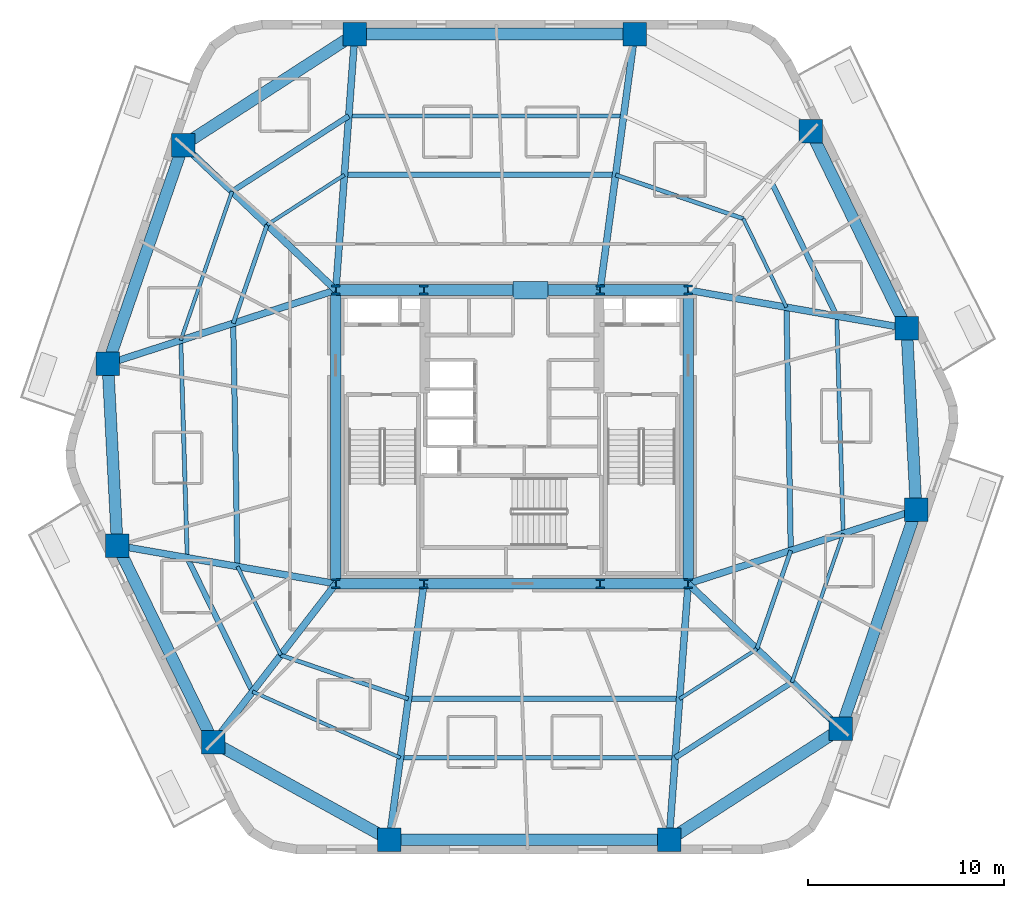
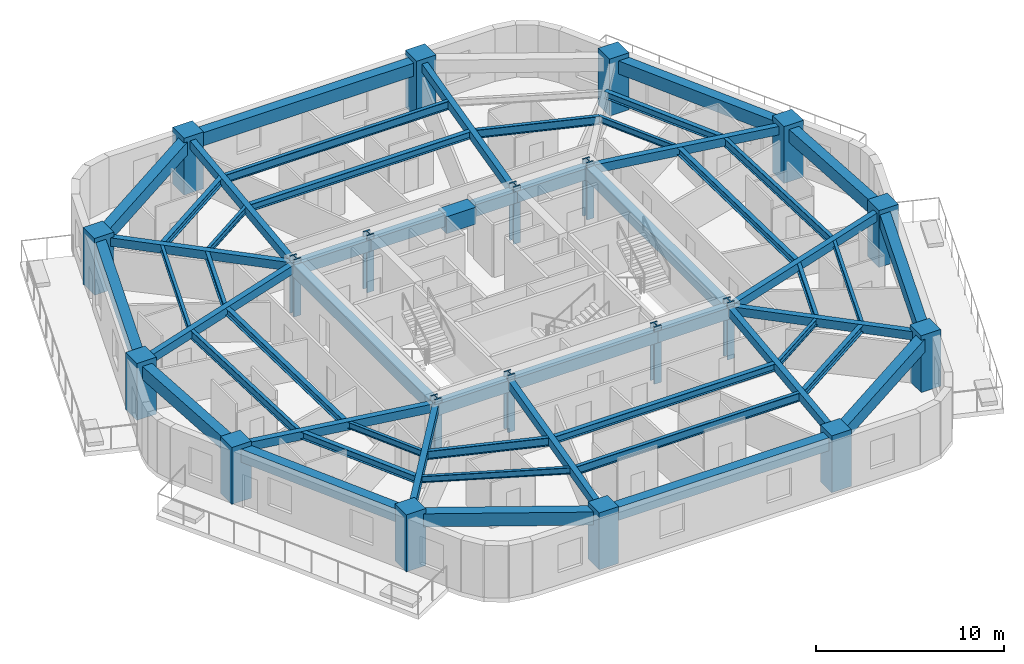
# One storey, part 1 of 10: 54 beams, 20 columns.
"""IFC4 building model written with IfcOpenShell, lengths in metres."""

from ifc_helpers import new_model, si_unit, direction, frame, origin, origin_2d, place, context, subcontext, project, spatial, rectangle, i_section, extrude, material, material_profile, profile_set, type_object, element, save


model = new_model("IFC4")

# Units and contexts
model_context = context("Model", 3, precision=1e-05, world=origin(), true_north=direction((0.0, 1.0)))
body_context = subcontext(model_context, "Body", "Model", "MODEL_VIEW")
ifc_project = project(units=[si_unit("LENGTHUNIT", "METRE"), si_unit("AREAUNIT", "SQUARE_METRE"), si_unit("VOLUMEUNIT", "CUBIC_METRE"), si_unit("PLANEANGLEUNIT", "RADIAN"), si_unit("MASSUNIT", "GRAM", prefix="KILO")], contexts=[model_context])

# Site, building, storey
site_placement = place(None, origin())
site = spatial("IfcSite", under=ifc_project, at=site_placement, CompositionType="ELEMENT")
building_placement = place(site_placement, origin())
building = spatial("IfcBuilding", under=site, at=building_placement, Name="Kilnhurst Terrace Hotel", CompositionType="ELEMENT")
storey_placement = place(building_placement, frame((0.0, 0.0, 113.60009765625)))
storey = spatial("IfcBuildingStorey", under=building, at=storey_placement, Name="L27", CompositionType="ELEMENT", Elevation=113.60009765625)

# Columns
ifc_material_1 = material(Name="Concrete C80/95", Category="concrete")
ifc_material_profile_1 = material_profile(ifc_material_1, rectangle(XDim=1.199951171875, YDim=1.199951171875, at=origin_2d()), Name="RC1200X1200")
ifc_profile_set_1 = profile_set([ifc_material_profile_1], Name="Concrete C80/95")
column_type_1 = type_object("IfcColumnType", Name="COL-RC-1200", PredefinedType="COLUMN", material=ifc_profile_set_1)
for number, where, z_axis, x_axis, name in (
    (1, (-6.26806640625, -20.580078125, 0.0), (0.0, 0.0, 1.0), (1.0, 0.0, 0.0), "L27 Structural Column PC-F11"),
    (2, (8.028076171875, -20.580078125, 0.0), (0.0, 0.0, 1.0), (1.0, 0.0, 0.0), "L27 Structural Column PC-F12"),
    (3, (16.800048828125, -14.910888671875, 0.0), (0.0, 0.0, 1.0), (1.0, 0.0, 0.0), "L27 Structural Column PC-F21"),
    (4, (20.64990234375, -3.73095703125, 0.0), (0.0, 0.0, 1.0), (1.0, 0.0, 0.0), "L27 Structural Column PC-F22"),
    (5, (20.1640625, 5.549072265625, 0.0), (0.0, 0.0, 1.0), (1.0, 0.0, 0.0), "L27 Structural Column PC-F31"),
    (6, (15.257080078125, 15.60888671875, 0.0), (0.0, 0.0, 1.0), (1.0, 0.0, 0.0), "L27 Structural Column PC-F32"),
    (7, (6.26806640625, 20.580078125, 0.0), (0.0, 0.0, 1.0), (1.0, 0.0, 0.0), "L27 Structural Column PC-F41"),
    (8, (-8.028076171875, 20.580078125, 0.0), (0.0, 0.0, 1.0), (1.0, 0.0, 0.0), "L27 Structural Column PC-F42"),
    (9, (-16.800048828125, 14.910888671875, 0.0), (0.0, 0.0, 1.0), (1.0, 0.0, 0.0), "L27 Structural Column PC-F51"),
    (10, (-20.64990234375, 3.73095703125, 0.0), (0.0, 0.0, 1.0), (1.0, 0.0, 0.0), "L27 Structural Column PC-F52"),
    (11, (-20.1640625, -5.549072265625, 0.0), (0.0, 0.0, 1.0), (1.0, 0.0, 0.0), "L27 Structural Column PC-F61"),
    (12, (-15.257080078125, -15.60888671875, 0.0), (0.0, 0.0, 1.0), (1.0, 0.0, 0.0), "L27 Structural Column PC-F62"),
):
    element("IfcColumn", number, at=place(storey_placement, frame(where, z_axis=z_axis, x_axis=x_axis)), inside=storey, type_object=column_type_1, Name=name, PredefinedType="COLUMN", context=body_context, shape_type="SweptSolid", body=[
        extrude(rectangle(XDim=1.199951171875, YDim=1.199951171875, at=origin_2d()), origin(), (0.0, 0.0, 1.0), 3.699951171875),
    ])
ifc_material_2 = material(Name="Steel ASTM A992 Grade 50", Category="steel")
ifc_material_profile_2 = material_profile(ifc_material_2, i_section(OverallWidth=0.43212890625, OverallDepth=0.497802734375, WebThickness=0.0556640625, FlangeThickness=0.0888671875, at=origin_2d()), Name="W14X500")
ifc_profile_set_2 = profile_set([ifc_material_profile_2], Name="Steel ASTM A992 Grade 50")
column_type_2 = type_object("IfcColumnType", Name="COL-STL-W14X500", PredefinedType="COLUMN", material=ifc_profile_set_2)
for number, where, z_axis, x_axis, name in (
    (13, (-9.0, -7.5, 0.0), (0.0, 0.0, 1.0), (1.0, 0.0, 0.0), "L27 Structural Column CC-SW"),
    (14, (-4.5, -7.5, 0.0), (0.0, 0.0, 1.0), (1.0, 0.0, 0.0), "L27 Structural Column CC-SC1"),
    (15, (4.5, -7.5, 0.0), (0.0, 0.0, 1.0), (1.0, 0.0, 0.0), "L27 Structural Column CC-SC2"),
    (16, (9.0, -7.5, 0.0), (0.0, 0.0, 1.0), (1.0, 0.0, 0.0), "L27 Structural Column CC-SE"),
    (17, (9.0, 7.5, 0.0), (0.0, 0.0, 1.0), (1.0, 0.0, 0.0), "L27 Structural Column CC-NE"),
    (18, (4.5, 7.5, 0.0), (0.0, 0.0, 1.0), (1.0, 0.0, 0.0), "L27 Structural Column CC-NC2"),
    (19, (-4.5, 7.5, 0.0), (0.0, 0.0, 1.0), (1.0, 0.0, 0.0), "L27 Structural Column CC-NC1"),
    (20, (-9.0, 7.5, 0.0), (0.0, 0.0, 1.0), (1.0, 0.0, 0.0), "L27 Structural Column CC-NW"),
):
    element("IfcColumn", number, at=place(storey_placement, frame(where, z_axis=z_axis, x_axis=x_axis)), inside=storey, type_object=column_type_2, Name=name, PredefinedType="COLUMN", context=body_context, shape_type="SweptSolid", body=[
        extrude(i_section(OverallWidth=0.43212890625, OverallDepth=0.497802734375, WebThickness=0.0556640625, FlangeThickness=0.0888671875, at=origin_2d()), origin(), (0.0, 0.0, 1.0), 3.699951171875),
    ])

# Beams
ifc_material_3 = material(Name="Concrete C50/60", Category="concrete")
ifc_material_profile_3 = material_profile(ifc_material_3, rectangle(XDim=0.35009765625, YDim=0.550048828125, at=origin_2d()), Name="RC350X550")
ifc_profile_set_3 = profile_set([ifc_material_profile_3], Name="Concrete C50/60")
beam_type_1 = type_object("IfcBeamType", Name="BM-RAD-350X550", PredefinedType="BEAM", material=ifc_profile_set_3)
beam_1_placement = place(storey_placement, frame((-4.5, -7.5, 3.125), z_axis=(-0.133954226177, -0.990987520249, 0.0), x_axis=(0.990987520249, -0.133954226177, 0.0)))
element("IfcBeam", 21, at=beam_1_placement, inside=storey, type_object=beam_type_1, Name="L27 Radial Floor Beam 1", PredefinedType="BEAM", context=body_context, shape_type="SweptSolid", body=[
    extrude(rectangle(XDim=0.35009765625, YDim=0.550048828125, at=origin_2d()), origin(), (0.0, 0.0, 1.0), 13.198974609375),
])
beam_2_placement = place(storey_placement, frame((9.0, -7.5, 3.125), z_axis=(-0.074101371747, -0.997250714066, 0.0), x_axis=(0.997250714066, -0.074101371747, 0.0)))
element("IfcBeam", 22, at=beam_2_placement, inside=storey, type_object=beam_type_1, Name="L27 Radial Floor Beam 2", PredefinedType="BEAM", context=body_context, shape_type="SweptSolid", body=[
    extrude(rectangle(XDim=0.35009765625, YDim=0.550048828125, at=origin_2d()), origin(), (0.0, 0.0, 1.0), 13.1162109375),
])
beam_3_placement = place(storey_placement, frame((9.0, -7.5, 3.125), z_axis=(0.724960341586, -0.688790609059, 0.0), x_axis=(0.688790609059, 0.724960341586, 0.0)))
element("IfcBeam", 23, at=beam_3_placement, inside=storey, type_object=beam_type_1, Name="L27 Radial Floor Beam 3", PredefinedType="BEAM", context=body_context, shape_type="SweptSolid", body=[
    extrude(rectangle(XDim=0.35009765625, YDim=0.550048828125, at=origin_2d()), origin(), (0.0, 0.0, 1.0), 10.75927734375),
])
beam_4_placement = place(storey_placement, frame((9.0, -7.5, 3.125), z_axis=(0.951445549065, 0.307817100182, 0.0), x_axis=(-0.307817100182, 0.951445549065, 0.0)))
element("IfcBeam", 24, at=beam_4_placement, inside=storey, type_object=beam_type_1, Name="L27 Radial Floor Beam 4", PredefinedType="BEAM", context=body_context, shape_type="SweptSolid", body=[
    extrude(rectangle(XDim=0.35009765625, YDim=0.550048828125, at=origin_2d()), origin(), (0.0, 0.0, 1.0), 12.244384765625),
])
beam_5_placement = place(storey_placement, frame((9.0, 7.5, 3.125), z_axis=(0.985072137567, -0.172142045384, 0.0), x_axis=(0.172142045384, 0.985072137567, 0.0)))
element("IfcBeam", 25, at=beam_5_placement, inside=storey, type_object=beam_type_1, Name="L27 Radial Floor Beam 5", PredefinedType="BEAM", context=body_context, shape_type="SweptSolid", body=[
    extrude(rectangle(XDim=0.35009765625, YDim=0.550048828125, at=origin_2d()), origin(), (0.0, 0.0, 1.0), 11.333251953125),
])
beam_6_placement = place(storey_placement, frame((4.5, 7.5, 3.125), z_axis=(0.133954226177, 0.990987520249, 0.0), x_axis=(-0.990987520249, 0.133954226177, 0.0)))
element("IfcBeam", 26, at=beam_6_placement, inside=storey, type_object=beam_type_1, Name="L27 Radial Floor Beam 7", PredefinedType="BEAM", context=body_context, shape_type="SweptSolid", body=[
    extrude(rectangle(XDim=0.35009765625, YDim=0.550048828125, at=origin_2d()), origin(), (0.0, 0.0, 1.0), 13.198974609375),
])
beam_7_placement = place(storey_placement, frame((-9.0, 7.5, 3.125), z_axis=(0.074101371747, 0.997250714066, 0.0), x_axis=(-0.997250714066, 0.074101371747, 0.0)))
element("IfcBeam", 27, at=beam_7_placement, inside=storey, type_object=beam_type_1, Name="L27 Radial Floor Beam 8", PredefinedType="BEAM", context=body_context, shape_type="SweptSolid", body=[
    extrude(rectangle(XDim=0.35009765625, YDim=0.550048828125, at=origin_2d()), origin(), (0.0, 0.0, 1.0), 13.1162109375),
])
beam_8_placement = place(storey_placement, frame((-9.0, 7.5, 3.125), z_axis=(-0.724960341586, 0.688790609059, 0.0), x_axis=(-0.688790609059, -0.724960341586, 0.0)))
element("IfcBeam", 28, at=beam_8_placement, inside=storey, type_object=beam_type_1, Name="L27 Radial Floor Beam 9", PredefinedType="BEAM", context=body_context, shape_type="SweptSolid", body=[
    extrude(rectangle(XDim=0.35009765625, YDim=0.550048828125, at=origin_2d()), origin(), (0.0, 0.0, 1.0), 10.75927734375),
])
beam_9_placement = place(storey_placement, frame((-9.0, 7.5, 3.125), z_axis=(-0.951445549065, -0.307817100182, 0.0), x_axis=(0.307817100182, -0.951445549065, 0.0)))
element("IfcBeam", 29, at=beam_9_placement, inside=storey, type_object=beam_type_1, Name="L27 Radial Floor Beam 10", PredefinedType="BEAM", context=body_context, shape_type="SweptSolid", body=[
    extrude(rectangle(XDim=0.35009765625, YDim=0.550048828125, at=origin_2d()), origin(), (0.0, 0.0, 1.0), 12.244384765625),
])
beam_10_placement = place(storey_placement, frame((-9.0, -7.5, 3.125), z_axis=(-0.985072137567, 0.172142045384, 0.0), x_axis=(-0.172142045384, -0.985072137567, 0.0)))
element("IfcBeam", 30, at=beam_10_placement, inside=storey, type_object=beam_type_1, Name="L27 Radial Floor Beam 11", PredefinedType="BEAM", context=body_context, shape_type="SweptSolid", body=[
    extrude(rectangle(XDim=0.35009765625, YDim=0.550048828125, at=origin_2d()), origin(), (0.0, 0.0, 1.0), 11.333251953125),
])
beam_11_placement = place(storey_placement, frame((-9.0, -7.5, 3.125), z_axis=(-0.610904638371, -0.79170418896, 0.0), x_axis=(0.79170418896, -0.610904638371, 0.0)))
element("IfcBeam", 31, at=beam_11_placement, inside=storey, type_object=beam_type_1, Name="L27 Radial Floor Beam 12", PredefinedType="BEAM", context=body_context, shape_type="SweptSolid", body=[
    extrude(rectangle(XDim=0.35009765625, YDim=0.550048828125, at=origin_2d()), origin(), (0.0, 0.0, 1.0), 10.242431640625),
])
ifc_material_profile_4 = material_profile(ifc_material_3, rectangle(XDim=0.550048828125, YDim=0.75, at=origin_2d()), Name="RC550X750")
ifc_profile_set_4 = profile_set([ifc_material_profile_4], Name="Concrete C50/60")
beam_type_2 = type_object("IfcBeamType", Name="BM-SPN-550X750", PredefinedType="SPANDREL", material=ifc_profile_set_4)
beam_12_placement = place(storey_placement, frame((-9.0, 7.5, 3.02490234375), z_axis=(1.0, 0.0, 0.0), x_axis=(0.0, 1.0, 0.0)))
element("IfcBeam", 32, at=beam_12_placement, inside=storey, type_object=beam_type_2, Name="L27 Core Tie Beam CC-NW to CC-NC1", PredefinedType="SPANDREL", context=body_context, shape_type="SweptSolid", body=[
    extrude(rectangle(XDim=0.550048828125, YDim=0.75, at=origin_2d()), origin(), (0.0, 0.0, 1.0), 4.5),
])
beam_13_placement = place(storey_placement, frame((-4.5, 7.5, 3.02490234375), z_axis=(1.0, 0.0, 0.0), x_axis=(0.0, 1.0, 0.0)))
element("IfcBeam", 33, at=beam_13_placement, inside=storey, type_object=beam_type_2, Name="L27 Core Tie Beam CC-NC1 to CC-NC2", PredefinedType="SPANDREL", context=body_context, shape_type="SweptSolid", body=[
    extrude(rectangle(XDim=0.550048828125, YDim=0.75, at=origin_2d()), origin(), (0.0, 0.0, 1.0), 9.0),
])
for number, where, z_axis, x_axis, name in (
    (34, (4.5, 7.5, 3.02490234375), (1.0, 0.0, 0.0), (0.0, 1.0, 0.0), "L27 Core Tie Beam CC-NC2 to CC-NE"),
    (35, (-9.0, -7.5, 3.02490234375), (1.0, 0.0, 0.0), (0.0, 1.0, 0.0), "L27 Core Tie Beam CC-SW to CC-SC1"),
):
    element("IfcBeam", number, at=place(storey_placement, frame(where, z_axis=z_axis, x_axis=x_axis)), inside=storey, type_object=beam_type_2, Name=name, PredefinedType="SPANDREL", context=body_context, shape_type="SweptSolid", body=[
        extrude(rectangle(XDim=0.550048828125, YDim=0.75, at=origin_2d()), origin(), (0.0, 0.0, 1.0), 4.5),
    ])
beam_14_placement = place(storey_placement, frame((-4.5, -7.5, 3.02490234375), z_axis=(1.0, 0.0, 0.0), x_axis=(0.0, 1.0, 0.0)))
element("IfcBeam", 36, at=beam_14_placement, inside=storey, type_object=beam_type_2, Name="L27 Core Tie Beam CC-SC1 to CC-SC2", PredefinedType="SPANDREL", context=body_context, shape_type="SweptSolid", body=[
    extrude(rectangle(XDim=0.550048828125, YDim=0.75, at=origin_2d()), origin(), (0.0, 0.0, 1.0), 9.0),
])
beam_15_placement = place(storey_placement, frame((4.5, -7.5, 3.02490234375), z_axis=(1.0, 0.0, 0.0), x_axis=(0.0, 1.0, 0.0)))
element("IfcBeam", 37, at=beam_15_placement, inside=storey, type_object=beam_type_2, Name="L27 Core Tie Beam CC-SC2 to CC-SE", PredefinedType="SPANDREL", context=body_context, shape_type="SweptSolid", body=[
    extrude(rectangle(XDim=0.550048828125, YDim=0.75, at=origin_2d()), origin(), (0.0, 0.0, 1.0), 4.5),
])
for number, where, z_axis, x_axis, name in (
    (38, (-9.0, -7.5, 3.02490234375), (0.0, 1.0, 0.0), (-1.0, 0.0, 0.0), "L27 Core Tie Beam CC-SW to CC-NW"),
    (39, (9.0, -7.5, 3.02490234375), (0.0, 1.0, 0.0), (-1.0, 0.0, 0.0), "L27 Core Tie Beam CC-SE to CC-NE"),
):
    element("IfcBeam", number, at=place(storey_placement, frame(where, z_axis=z_axis, x_axis=x_axis)), inside=storey, type_object=beam_type_2, Name=name, PredefinedType="SPANDREL", context=body_context, shape_type="SweptSolid", body=[
        extrude(rectangle(XDim=0.550048828125, YDim=0.75, at=origin_2d()), origin(), (0.0, 0.0, 1.0), 15.0),
    ])
ifc_material_profile_5 = material_profile(ifc_material_3, rectangle(XDim=0.60009765625, YDim=0.85009765625, at=origin_2d()), Name="RC600X850")
ifc_profile_set_5 = profile_set([ifc_material_profile_5], Name="Concrete C50/60")
beam_type_3 = type_object("IfcBeamType", Name="BM-SPN-600X850", PredefinedType="SPANDREL", material=ifc_profile_set_5)
beam_16_placement = place(storey_placement, frame((-6.26806640625, -20.580078125, 2.974853515625), z_axis=(1.0, 0.0, 0.0), x_axis=(0.0, 1.0, 0.0)))
element("IfcBeam", 40, at=beam_16_placement, inside=storey, type_object=beam_type_3, Name="L27 Perimeter Spandrel Beam 1", PredefinedType="SPANDREL", context=body_context, shape_type="SweptSolid", body=[
    extrude(rectangle(XDim=0.60009765625, YDim=0.85009765625, at=origin_2d()), origin(), (0.0, 0.0, 1.0), 14.296142578125),
])
beam_17_placement = place(storey_placement, frame((8.028076171875, -20.580078125, 2.974853515625), z_axis=(0.839866667472, 0.542792760517, 0.0), x_axis=(-0.542792760517, 0.839866667472, 0.0)))
element("IfcBeam", 41, at=beam_17_placement, inside=storey, type_object=beam_type_3, Name="L27 Perimeter Spandrel Beam 2", PredefinedType="SPANDREL", context=body_context, shape_type="SweptSolid", body=[
    extrude(rectangle(XDim=0.60009765625, YDim=0.85009765625, at=origin_2d()), origin(), (0.0, 0.0, 1.0), 10.444580078125),
])
beam_18_placement = place(storey_placement, frame((16.800048828125, -14.910888671875, 2.974853515625), z_axis=(0.325590408593, 0.945510912593, 0.0), x_axis=(-0.945510912593, 0.325590408593, 0.0)))
element("IfcBeam", 42, at=beam_18_placement, inside=storey, type_object=beam_type_3, Name="L27 Perimeter Spandrel Beam 3", PredefinedType="SPANDREL", context=body_context, shape_type="SweptSolid", body=[
    extrude(rectangle(XDim=0.60009765625, YDim=0.85009765625, at=origin_2d()), origin(), (0.0, 0.0, 1.0), 11.82421875),
])
beam_19_placement = place(storey_placement, frame((20.64990234375, -3.73095703125, 2.974853515625), z_axis=(-0.052281666706, 0.998632378469, 0.0), x_axis=(-0.998632378469, -0.052281666706, 0.0)))
element("IfcBeam", 43, at=beam_19_placement, inside=storey, type_object=beam_type_3, Name="L27 Perimeter Spandrel Beam 4", PredefinedType="SPANDREL", context=body_context, shape_type="SweptSolid", body=[
    extrude(rectangle(XDim=0.60009765625, YDim=0.85009765625, at=origin_2d()), origin(), (0.0, 0.0, 1.0), 9.292724609375),
])
beam_20_placement = place(storey_placement, frame((20.1640625, 5.549072265625, 2.974853515625), z_axis=(-0.438406012271, 0.89877704043, 0.0), x_axis=(-0.89877704043, -0.438406012271, 0.0)))
element("IfcBeam", 44, at=beam_20_placement, inside=storey, type_object=beam_type_3, Name="L27 Perimeter Spandrel Beam 5", PredefinedType="SPANDREL", context=body_context, shape_type="SweptSolid", body=[
    extrude(rectangle(XDim=0.60009765625, YDim=0.85009765625, at=origin_2d()), origin(), (0.0, 0.0, 1.0), 11.19287109375),
])
beam_21_placement = place(storey_placement, frame((6.26806640625, 20.580078125, 2.974853515625), z_axis=(-1.0, 0.0, 0.0), x_axis=(0.0, -1.0, 0.0)))
element("IfcBeam", 45, at=beam_21_placement, inside=storey, type_object=beam_type_3, Name="L27 Perimeter Spandrel Beam 7", PredefinedType="SPANDREL", context=body_context, shape_type="SweptSolid", body=[
    extrude(rectangle(XDim=0.60009765625, YDim=0.85009765625, at=origin_2d()), origin(), (0.0, 0.0, 1.0), 14.296142578125),
])
beam_22_placement = place(storey_placement, frame((-8.028076171875, 20.580078125, 2.974853515625), z_axis=(-0.839866667472, -0.542792760517, 0.0), x_axis=(0.542792760517, -0.839866667472, 0.0)))
element("IfcBeam", 46, at=beam_22_placement, inside=storey, type_object=beam_type_3, Name="L27 Perimeter Spandrel Beam 8", PredefinedType="SPANDREL", context=body_context, shape_type="SweptSolid", body=[
    extrude(rectangle(XDim=0.60009765625, YDim=0.85009765625, at=origin_2d()), origin(), (0.0, 0.0, 1.0), 10.444580078125),
])
beam_23_placement = place(storey_placement, frame((-16.800048828125, 14.910888671875, 2.974853515625), z_axis=(-0.325590408593, -0.945510912593, 0.0), x_axis=(0.945510912593, -0.325590408593, 0.0)))
element("IfcBeam", 47, at=beam_23_placement, inside=storey, type_object=beam_type_3, Name="L27 Perimeter Spandrel Beam 9", PredefinedType="SPANDREL", context=body_context, shape_type="SweptSolid", body=[
    extrude(rectangle(XDim=0.60009765625, YDim=0.85009765625, at=origin_2d()), origin(), (0.0, 0.0, 1.0), 11.82421875),
])
beam_24_placement = place(storey_placement, frame((-20.64990234375, 3.73095703125, 2.974853515625), z_axis=(0.052281666706, -0.998632378469, 0.0), x_axis=(0.998632378469, 0.052281666706, 0.0)))
element("IfcBeam", 48, at=beam_24_placement, inside=storey, type_object=beam_type_3, Name="L27 Perimeter Spandrel Beam 10", PredefinedType="SPANDREL", context=body_context, shape_type="SweptSolid", body=[
    extrude(rectangle(XDim=0.60009765625, YDim=0.85009765625, at=origin_2d()), origin(), (0.0, 0.0, 1.0), 9.292724609375),
])
beam_25_placement = place(storey_placement, frame((-20.1640625, -5.549072265625, 2.974853515625), z_axis=(0.438406012271, -0.89877704043, 0.0), x_axis=(0.89877704043, 0.438406012271, 0.0)))
element("IfcBeam", 49, at=beam_25_placement, inside=storey, type_object=beam_type_3, Name="L27 Perimeter Spandrel Beam 11", PredefinedType="SPANDREL", context=body_context, shape_type="SweptSolid", body=[
    extrude(rectangle(XDim=0.60009765625, YDim=0.85009765625, at=origin_2d()), origin(), (0.0, 0.0, 1.0), 11.19287109375),
])
beam_26_placement = place(storey_placement, frame((-15.257080078125, -15.60888671875, 2.974853515625), z_axis=(0.875094010429, -0.483952965598, 0.0), x_axis=(0.483952965598, 0.875094010429, 0.0)))
element("IfcBeam", 50, at=beam_26_placement, inside=storey, type_object=beam_type_3, Name="L27 Perimeter Spandrel Beam 12", PredefinedType="SPANDREL", context=body_context, shape_type="SweptSolid", body=[
    extrude(rectangle(XDim=0.60009765625, YDim=0.85009765625, at=origin_2d()), origin(), (0.0, 0.0, 1.0), 10.27197265625),
])
ifc_material_profile_6 = material_profile(ifc_material_2, i_section(OverallWidth=0.180908203125, OverallDepth=0.417236328125, WebThickness=0.010986328125, FlangeThickness=0.018310546875, at=origin_2d()), Name="W16X57")
ifc_profile_set_6 = profile_set([ifc_material_profile_6], Name="Steel ASTM A992 Grade 50")
beam_type_4 = type_object("IfcBeamType", Name="JST-STL-W16X57", PredefinedType="JOIST", material=ifc_profile_set_6)
for number, where, z_axis, x_axis, name in (
    (51, (14.303955078125, -12.53955078125, 3.19091796875), (0.325612620381, 0.945503263584, 0.0), (-0.945503263584, 0.325612620381, 0.0), "L27 Secondary Floor Steel Joist OUT.3"),
    (52, (-14.303955078125, 12.53955078125, 3.19091796875), (-0.325612620381, -0.945503263584, 0.0), (0.945503263584, -0.325612620381, 0.0), "L27 Secondary Floor Steel Joist OUT.9"),
):
    element("IfcBeam", number, at=place(storey_placement, frame(where, z_axis=z_axis, x_axis=x_axis)), inside=storey, type_object=beam_type_4, Name=name, PredefinedType="JOIST", context=body_context, shape_type="SweptSolid", body=[
        extrude(i_section(OverallWidth=0.180908203125, OverallDepth=0.417236328125, WebThickness=0.010986328125, FlangeThickness=0.018310546875, at=origin_2d()), origin(), (0.0, 0.0, 1.0), 8.040771484375),
    ])
beam_27_placement = place(storey_placement, frame((-13.2548828125, -13.01416015625, 3.19091796875), z_axis=(0.912760935806, -0.408494154262, 0.0), x_axis=(0.408494154262, 0.912760935806, 0.0)))
element("IfcBeam", 53, at=beam_27_placement, inside=storey, type_object=beam_type_4, Name="L27 Secondary Floor Steel Joist OUT.12", PredefinedType="JOIST", context=body_context, shape_type="SweptSolid", body=[
    extrude(i_section(OverallWidth=0.180908203125, OverallDepth=0.417236328125, WebThickness=0.010986328125, FlangeThickness=0.018310546875, at=origin_2d()), origin(), (0.0, 0.0, 1.0), 8.274658203125),
])
beam_28_placement = place(storey_placement, frame((8.5625, -13.385986328125, 3.19091796875), z_axis=(0.839884974974, 0.542764432155, 0.0), x_axis=(-0.542764432155, 0.839884974974, 0.0)))
element("IfcBeam", 54, at=beam_28_placement, inside=storey, type_object=beam_type_4, Name="L27 Secondary Floor Steel Joist IN.2", PredefinedType="JOIST", context=body_context, shape_type="SweptSolid", body=[
    extrude(i_section(OverallWidth=0.180908203125, OverallDepth=0.417236328125, WebThickness=0.010986328125, FlangeThickness=0.018310546875, at=origin_2d()), origin(), (0.0, 0.0, 1.0), 4.699951171875),
])
beam_29_placement = place(storey_placement, frame((14.023681640625, 6.6220703125, 3.19091796875), z_axis=(-0.438389251087, 0.898785216017, 0.0), x_axis=(-0.898785216017, -0.438389251087, 0.0)))
element("IfcBeam", 55, at=beam_29_placement, inside=storey, type_object=beam_type_4, Name="L27 Secondary Floor Steel Joist IN.5", PredefinedType="JOIST", context=body_context, shape_type="SweptSolid", body=[
    extrude(i_section(OverallWidth=0.180908203125, OverallDepth=0.417236328125, WebThickness=0.010986328125, FlangeThickness=0.018310546875, at=origin_2d()), origin(), (0.0, 0.0, 1.0), 5.03662109375),
])
beam_30_placement = place(storey_placement, frame((-8.5625, 13.385986328125, 3.19091796875), z_axis=(-0.839884974974, -0.542764432155, 0.0), x_axis=(0.542764432155, -0.839884974974, 0.0)))
element("IfcBeam", 56, at=beam_30_placement, inside=storey, type_object=beam_type_4, Name="L27 Secondary Floor Steel Joist IN.8", PredefinedType="JOIST", context=body_context, shape_type="SweptSolid", body=[
    extrude(i_section(OverallWidth=0.180908203125, OverallDepth=0.417236328125, WebThickness=0.010986328125, FlangeThickness=0.018310546875, at=origin_2d()), origin(), (0.0, 0.0, 1.0), 4.699951171875),
])
beam_31_placement = place(storey_placement, frame((-14.023681640625, -6.6220703125, 3.19091796875), z_axis=(0.438389251087, -0.898785216017, 0.0), x_axis=(0.898785216017, 0.438389251087, 0.0)))
element("IfcBeam", 57, at=beam_31_placement, inside=storey, type_object=beam_type_4, Name="L27 Secondary Floor Steel Joist IN.11", PredefinedType="JOIST", context=body_context, shape_type="SweptSolid", body=[
    extrude(i_section(OverallWidth=0.180908203125, OverallDepth=0.417236328125, WebThickness=0.010986328125, FlangeThickness=0.018310546875, at=origin_2d()), origin(), (0.0, 0.0, 1.0), 5.03662109375),
])
ifc_material_profile_7 = material_profile(ifc_material_2, i_section(OverallWidth=0.279296875, OverallDepth=0.462890625, WebThickness=0.0107421875, FlangeThickness=0.017333984375, at=origin_2d()), Name="W18X76")
ifc_profile_set_7 = profile_set([ifc_material_profile_7], Name="Steel ASTM A992 Grade 50")
beam_type_5 = type_object("IfcBeamType", Name="JST-STL-W18X76", PredefinedType="JOIST", material=ifc_profile_set_7)
beam_32_placement = place(storey_placement, frame((8.339111328125, -16.394287109375, 3.16796875), z_axis=(0.839882675086, 0.542767991034, 0.0), x_axis=(-0.542767991034, 0.839882675086, 0.0)))
element("IfcBeam", 58, at=beam_32_placement, inside=storey, type_object=beam_type_5, Name="L27 Secondary Floor Steel Joist OUT.2", PredefinedType="JOIST", context=body_context, shape_type="SweptSolid", body=[
    extrude(i_section(OverallWidth=0.279296875, OverallDepth=0.462890625, WebThickness=0.0107421875, FlangeThickness=0.017333984375, at=origin_2d()), origin(), (0.0, 0.0, 1.0), 7.10205078125),
])
beam_33_placement = place(storey_placement, frame((16.591552734375, 6.17333984375, 3.16796875), z_axis=(-0.438390137084, 0.898784783865, 0.0), x_axis=(-0.898784783865, -0.438390137084, 0.0)))
element("IfcBeam", 59, at=beam_33_placement, inside=storey, type_object=beam_type_5, Name="L27 Secondary Floor Steel Joist OUT.5", PredefinedType="JOIST", context=body_context, shape_type="SweptSolid", body=[
    extrude(i_section(OverallWidth=0.279296875, OverallDepth=0.462890625, WebThickness=0.0107421875, FlangeThickness=0.017333984375, at=origin_2d()), origin(), (0.0, 0.0, 1.0), 7.611083984375),
])
beam_34_placement = place(storey_placement, frame((-8.339111328125, 16.394287109375, 3.16796875), z_axis=(-0.839882675086, -0.542767991034, 0.0), x_axis=(0.542767991034, -0.839882675086, 0.0)))
element("IfcBeam", 60, at=beam_34_placement, inside=storey, type_object=beam_type_5, Name="L27 Secondary Floor Steel Joist OUT.8", PredefinedType="JOIST", context=body_context, shape_type="SweptSolid", body=[
    extrude(i_section(OverallWidth=0.279296875, OverallDepth=0.462890625, WebThickness=0.0107421875, FlangeThickness=0.017333984375, at=origin_2d()), origin(), (0.0, 0.0, 1.0), 7.10205078125),
])
beam_35_placement = place(storey_placement, frame((-16.591552734375, -6.17333984375, 3.16796875), z_axis=(0.438390137084, -0.898784783865, 0.0), x_axis=(0.898784783865, 0.438390137084, 0.0)))
element("IfcBeam", 61, at=beam_35_placement, inside=storey, type_object=beam_type_5, Name="L27 Secondary Floor Steel Joist OUT.11", PredefinedType="JOIST", context=body_context, shape_type="SweptSolid", body=[
    extrude(i_section(OverallWidth=0.279296875, OverallDepth=0.462890625, WebThickness=0.0107421875, FlangeThickness=0.017333984375, at=origin_2d()), origin(), (0.0, 0.0, 1.0), 7.611083984375),
])
beam_36_placement = place(storey_placement, frame((-5.295654296875, -13.385986328125, 3.16796875), z_axis=(1.0, 0.0, 0.0), x_axis=(0.0, 1.0, 0.0)))
element("IfcBeam", 62, at=beam_36_placement, inside=storey, type_object=beam_type_5, Name="L27 Secondary Floor Steel Joist IN.1", PredefinedType="JOIST", context=body_context, shape_type="SweptSolid", body=[
    extrude(i_section(OverallWidth=0.279296875, OverallDepth=0.462890625, WebThickness=0.0107421875, FlangeThickness=0.017333984375, at=origin_2d()), origin(), (0.0, 0.0, 1.0), 13.858154296875),
])
beam_37_placement = place(storey_placement, frame((14.242431640625, -5.803955078125, 3.16796875), z_axis=(-0.017601453796, 0.999845082412, 0.0), x_axis=(-0.999845082412, -0.017601453796, 0.0)))
element("IfcBeam", 63, at=beam_37_placement, inside=storey, type_object=beam_type_5, Name="L27 Secondary Floor Steel Joist IN.4", PredefinedType="JOIST", context=body_context, shape_type="SweptSolid", body=[
    extrude(i_section(OverallWidth=0.279296875, OverallDepth=0.462890625, WebThickness=0.0107421875, FlangeThickness=0.017333984375, at=origin_2d()), origin(), (0.0, 0.0, 1.0), 12.427978515625),
])
beam_38_placement = place(storey_placement, frame((5.295654296875, 13.385986328125, 3.16796875), z_axis=(-1.0, 0.0, 0.0), x_axis=(0.0, -1.0, 0.0)))
element("IfcBeam", 64, at=beam_38_placement, inside=storey, type_object=beam_type_5, Name="L27 Secondary Floor Steel Joist IN.7", PredefinedType="JOIST", context=body_context, shape_type="SweptSolid", body=[
    extrude(i_section(OverallWidth=0.279296875, OverallDepth=0.462890625, WebThickness=0.0107421875, FlangeThickness=0.017333984375, at=origin_2d()), origin(), (0.0, 0.0, 1.0), 13.858154296875),
])
beam_39_placement = place(storey_placement, frame((-14.242431640625, 5.803955078125, 3.16796875), z_axis=(0.017601453796, -0.999845082412, 0.0), x_axis=(0.999845082412, 0.017601453796, 0.0)))
element("IfcBeam", 65, at=beam_39_placement, inside=storey, type_object=beam_type_5, Name="L27 Secondary Floor Steel Joist IN.10", PredefinedType="JOIST", context=body_context, shape_type="SweptSolid", body=[
    extrude(i_section(OverallWidth=0.279296875, OverallDepth=0.462890625, WebThickness=0.0107421875, FlangeThickness=0.017333984375, at=origin_2d()), origin(), (0.0, 0.0, 1.0), 12.427978515625),
])
ifc_material_profile_8 = material_profile(ifc_material_2, i_section(OverallWidth=0.2138671875, OverallDepth=0.549072265625, WebThickness=0.0146484375, FlangeThickness=0.023681640625, at=origin_2d()), Name="W21X93")
ifc_profile_set_8 = profile_set([ifc_material_profile_8], Name="Steel ASTM A992 Grade 50")
beam_type_6 = type_object("IfcBeamType", Name="JST-STL-W21X93", PredefinedType="JOIST", material=ifc_profile_set_8)
beam_40_placement = place(storey_placement, frame((-5.7021484375, -16.394287109375, 3.125), z_axis=(1.0, 0.0, 0.0), x_axis=(0.0, 1.0, 0.0)))
element("IfcBeam", 66, at=beam_40_placement, inside=storey, type_object=beam_type_6, Name="L27 Secondary Floor Steel Joist OUT.1", PredefinedType="JOIST", context=body_context, shape_type="SweptSolid", body=[
    extrude(i_section(OverallWidth=0.2138671875, OverallDepth=0.549072265625, WebThickness=0.0146484375, FlangeThickness=0.023681640625, at=origin_2d()), origin(), (0.0, 0.0, 1.0), 14.041259765625),
])
beam_41_placement = place(storey_placement, frame((16.922119140625, -4.93701171875, 3.125), z_axis=(-0.029739849895, 0.999557672837, 0.0), x_axis=(-0.999557672837, -0.029739849895, 0.0)))
element("IfcBeam", 67, at=beam_41_placement, inside=storey, type_object=beam_type_6, Name="L27 Secondary Floor Steel Joist OUT.4", PredefinedType="JOIST", context=body_context, shape_type="SweptSolid", body=[
    extrude(i_section(OverallWidth=0.2138671875, OverallDepth=0.549072265625, WebThickness=0.0146484375, FlangeThickness=0.023681640625, at=origin_2d()), origin(), (0.0, 0.0, 1.0), 11.115234375),
])
beam_42_placement = place(storey_placement, frame((5.7021484375, 16.394287109375, 3.125), z_axis=(-1.0, 0.0, 0.0), x_axis=(0.0, -1.0, 0.0)))
element("IfcBeam", 68, at=beam_42_placement, inside=storey, type_object=beam_type_6, Name="L27 Secondary Floor Steel Joist OUT.7", PredefinedType="JOIST", context=body_context, shape_type="SweptSolid", body=[
    extrude(i_section(OverallWidth=0.2138671875, OverallDepth=0.549072265625, WebThickness=0.0146484375, FlangeThickness=0.023681640625, at=origin_2d()), origin(), (0.0, 0.0, 1.0), 14.041259765625),
])
beam_43_placement = place(storey_placement, frame((-16.922119140625, 4.93701171875, 3.125), z_axis=(0.029739849895, -0.999557672837, 0.0), x_axis=(0.999557672837, 0.029739849895, 0.0)))
element("IfcBeam", 69, at=beam_43_placement, inside=storey, type_object=beam_type_6, Name="L27 Secondary Floor Steel Joist OUT.10", PredefinedType="JOIST", context=body_context, shape_type="SweptSolid", body=[
    extrude(i_section(OverallWidth=0.2138671875, OverallDepth=0.549072265625, WebThickness=0.0146484375, FlangeThickness=0.023681640625, at=origin_2d()), origin(), (0.0, 0.0, 1.0), 11.115234375),
])
beam_44_placement = place(storey_placement, frame((12.510009765625, -10.8349609375, 3.125), z_axis=(0.325586238877, 0.945512348441, 0.0), x_axis=(-0.945512348441, 0.325586238877, 0.0)))
element("IfcBeam", 70, at=beam_44_placement, inside=storey, type_object=beam_type_6, Name="L27 Secondary Floor Steel Joist IN.3", PredefinedType="JOIST", context=body_context, shape_type="SweptSolid", body=[
    extrude(i_section(OverallWidth=0.2138671875, OverallDepth=0.549072265625, WebThickness=0.0146484375, FlangeThickness=0.023681640625, at=origin_2d()), origin(), (0.0, 0.0, 1.0), 5.321044921875),
])
beam_45_placement = place(storey_placement, frame((11.815673828125, 11.14892578125, 3.125), z_axis=(-0.945873585837, 0.324535297949, 0.0), x_axis=(-0.324535297949, -0.945873585837, 0.0)))
element("IfcBeam", 71, at=beam_45_placement, inside=storey, type_object=beam_type_6, Name="L27 Secondary Floor Steel Joist IN.6", PredefinedType="JOIST", context=body_context, shape_type="SweptSolid", body=[
    extrude(i_section(OverallWidth=0.2138671875, OverallDepth=0.549072265625, WebThickness=0.0146484375, FlangeThickness=0.023681640625, at=origin_2d()), origin(), (0.0, 0.0, 1.0), 6.89306640625),
])
beam_46_placement = place(storey_placement, frame((-12.510009765625, 10.8349609375, 3.125), z_axis=(-0.325586238877, -0.945512348441, 0.0), x_axis=(0.945512348441, -0.325586238877, 0.0)))
element("IfcBeam", 72, at=beam_46_placement, inside=storey, type_object=beam_type_6, Name="L27 Secondary Floor Steel Joist IN.9", PredefinedType="JOIST", context=body_context, shape_type="SweptSolid", body=[
    extrude(i_section(OverallWidth=0.2138671875, OverallDepth=0.549072265625, WebThickness=0.0146484375, FlangeThickness=0.023681640625, at=origin_2d()), origin(), (0.0, 0.0, 1.0), 5.321044921875),
])
beam_47_placement = place(storey_placement, frame((-11.815673828125, -11.14892578125, 3.125), z_axis=(0.945873585837, -0.324535297949, 0.0), x_axis=(0.324535297949, 0.945873585837, 0.0)))
element("IfcBeam", 73, at=beam_47_placement, inside=storey, type_object=beam_type_6, Name="L27 Secondary Floor Steel Joist IN.12", PredefinedType="JOIST", context=body_context, shape_type="SweptSolid", body=[
    extrude(i_section(OverallWidth=0.2138671875, OverallDepth=0.549072265625, WebThickness=0.0146484375, FlangeThickness=0.023681640625, at=origin_2d()), origin(), (0.0, 0.0, 1.0), 6.89306640625),
])
ifc_material_profile_9 = material_profile(ifc_material_1, rectangle(XDim=0.89990234375, YDim=1.10009765625, at=origin_2d()), Name="RC900X1100")
ifc_profile_set_9 = profile_set([ifc_material_profile_9], Name="Concrete C80/95")
beam_type_7 = type_object("IfcBeamType", Name="LNT-CB-900X1100", PredefinedType="LINTEL", material=ifc_profile_set_9)
beam_48_placement = place(storey_placement, frame((0.050048828125, 7.5, 2.849853515625), z_axis=(1.0, 0.0, 0.0), x_axis=(0.0, 1.0, 0.0)))
element("IfcBeam", 74, at=beam_48_placement, inside=storey, type_object=beam_type_7, Name="L27 North Core Coupling Link Beam", PredefinedType="LINTEL", context=body_context, shape_type="SweptSolid", body=[
    extrude(rectangle(XDim=0.89990234375, YDim=1.10009765625, at=origin_2d()), origin(), (0.0, 0.0, 1.0), 1.800048828125),
])

save(model, "model.ifc")
